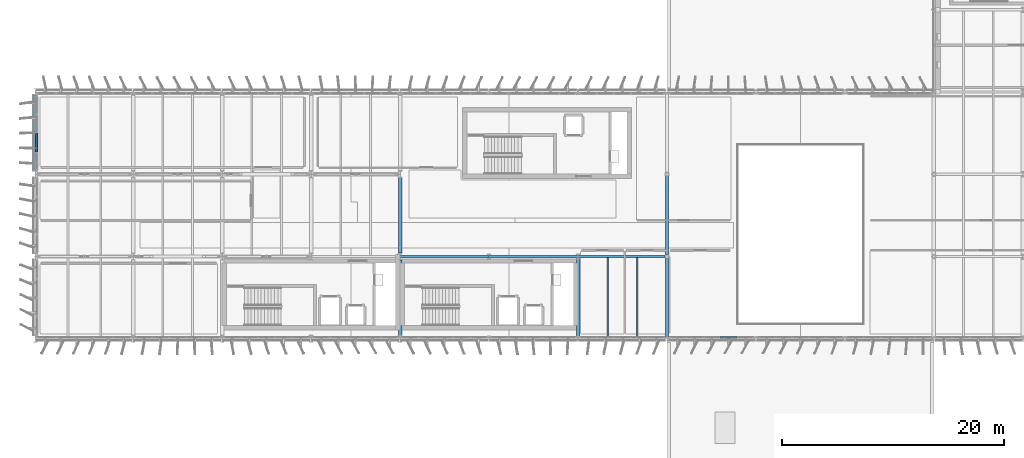
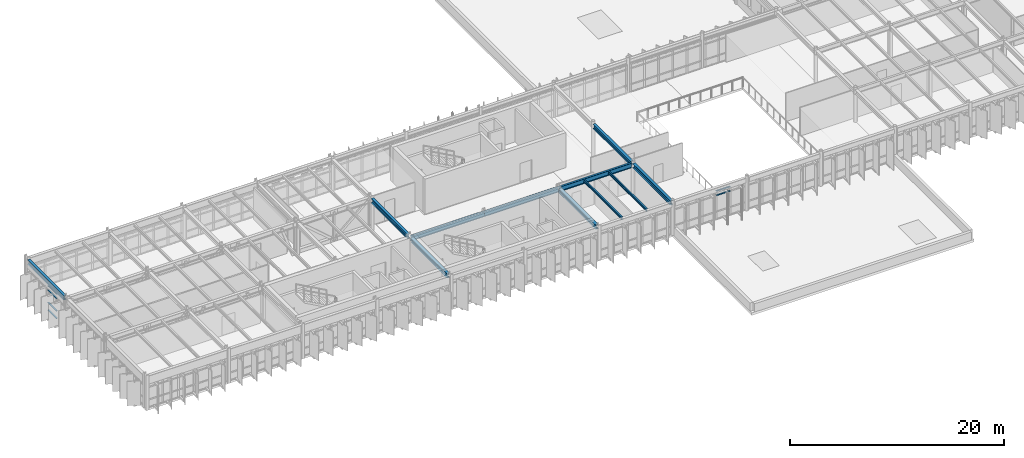
# One storey, part 14 of 56: 11 beams, 6 members, 2 elements without a shape of their own.
"""IFC4 building model written with IfcOpenShell, lengths in metres."""

from ifc_helpers import new_model, si_unit, direction, frame, origin, origin_2d, place, context, subcontext, project, spatial, rectangle, i_section, extrude, material, layer, layer_set, material_profile, profile_set, type_object, element, aggregate, save


model = new_model("IFC4")

# Units and contexts
model_context = context("Model", 3, precision=1e-05, world=origin(), true_north=direction((0.0, 1.0)))
body_context = subcontext(model_context, "Body", "Model", "MODEL_VIEW")
ifc_project = project(units=[si_unit("LENGTHUNIT", "METRE"), si_unit("AREAUNIT", "SQUARE_METRE"), si_unit("VOLUMEUNIT", "CUBIC_METRE"), si_unit("PLANEANGLEUNIT", "RADIAN"), si_unit("MASSUNIT", "GRAM", prefix="KILO")], contexts=[model_context])

# Site, building, storey
site_placement = place(None, origin())
site = spatial("IfcSite", under=ifc_project, at=site_placement, CompositionType="ELEMENT")
building_placement = place(site_placement, origin())
building = spatial("IfcBuilding", under=site, at=building_placement, Name="Valkorina Park Police Headquarters", CompositionType="ELEMENT")
storey_placement = place(building_placement, frame((0.0, 0.0, 14.10009765625)))
storey = spatial("IfcBuildingStorey", under=building, at=storey_placement, Name="L04", CompositionType="ELEMENT", Elevation=14.10009765625)

# Beams
ifc_material_1 = material(Name="Steel S355", Category="steel")
ifc_material_profile_1 = material_profile(ifc_material_1, i_section(OverallWidth=0.300048828125, OverallDepth=0.489990234375, WebThickness=0.011962890625, FlangeThickness=0.02294921875, FilletRadius=0.027099609375, at=origin_2d()), Name="HEA 500")
ifc_profile_set_1 = profile_set([ifc_material_profile_1], Name="Steel S355")
beam_type_1 = type_object("IfcBeamType", Name="BM-S355-HEA500-BM", PredefinedType="BEAM", material=ifc_profile_set_1)
for number, where, z_axis, x_axis, name in (
    (1, (32.800048828125, 37.300048828125, 3.510009765625), (0.0, 1.0, 0.0), (-1.0, 0.0, 0.0), "L04 Framing Beam 2322"),
    (2, (32.800048828125, 44.699951171875, 3.510009765625), (0.0, 1.0, 0.0), (-1.0, 0.0, 0.0), "L04 Framing Beam 2323"),
):
    element("IfcBeam", number, at=place(storey_placement, frame(where, z_axis=z_axis, x_axis=x_axis)), inside=storey, type_object=beam_type_1, Name=name, PredefinedType="BEAM", context=body_context, shape_type="SweptSolid", body=[
        extrude(i_section(OverallWidth=0.300048828125, OverallDepth=0.489990234375, WebThickness=0.011962890625, FlangeThickness=0.02294921875, FilletRadius=0.027099609375, at=origin_2d()), origin(), (0.0, 0.0, 1.0), 6.800048828125),
    ])
beam_1_placement = place(storey_placement, frame((48.800048828125, 37.22509765625, 3.510009765625), z_axis=(0.0, 1.0, 0.0), x_axis=(-1.0, 0.0, 0.0)))
element("IfcBeam", 3, at=beam_1_placement, inside=storey, type_object=beam_type_1, Name="L04 Framing Beam 2325", PredefinedType="BEAM", context=body_context, shape_type="SweptSolid", body=[
    extrude(i_section(OverallWidth=0.300048828125, OverallDepth=0.489990234375, WebThickness=0.011962890625, FlangeThickness=0.02294921875, FilletRadius=0.027099609375, at=origin_2d()), origin(), (0.0, 0.0, 1.0), 6.949951171875),
])
for number, where, z_axis, x_axis, name in (
    (4, (56.800048828125, 37.177734375, 3.510009765625), (0.0, 1.0, 0.0), (-1.0, 0.0, 0.0), "L04 Framing Beam 2328"),
    (5, (56.800048828125, 44.577880859375, 3.510009765625), (0.0, 1.0, 0.0), (-1.0, 0.0, 0.0), "L04 Framing Beam 2329"),
):
    element("IfcBeam", number, at=place(storey_placement, frame(where, z_axis=z_axis, x_axis=x_axis)), inside=storey, type_object=beam_type_1, Name=name, PredefinedType="BEAM", context=body_context, shape_type="SweptSolid", body=[
        extrude(i_section(OverallWidth=0.300048828125, OverallDepth=0.489990234375, WebThickness=0.011962890625, FlangeThickness=0.02294921875, FilletRadius=0.027099609375, at=origin_2d()), origin(), (0.0, 0.0, 1.0), 7.04443359375),
    ])
ifc_material_profile_2 = material_profile(ifc_material_1, i_section(OverallWidth=0.300048828125, OverallDepth=0.489990234375, WebThickness=0.011962890625, FlangeThickness=0.02294921875, FilletRadius=0.027099609375, at=origin_2d()), Name="HEA 500")
ifc_profile_set_2 = profile_set([ifc_material_profile_2], Name="Steel S355")
beam_type_2 = type_object("IfcBeamType", Name="BM-S355-HEA500-SPN", PredefinedType="SPANDREL", material=ifc_profile_set_2)
beam_2_placement = place(storey_placement, frame((0.0, 52.10009765625, 3.510009765625), z_axis=(0.0, 1.0, 0.0), x_axis=(-1.0, 0.0, 0.0)))
element("IfcBeam", 6, at=beam_2_placement, inside=storey, type_object=beam_type_2, Name="L04 Framing Beam 2297", PredefinedType="SPANDREL", context=body_context, shape_type="SweptSolid", body=[
    extrude(i_section(OverallWidth=0.300048828125, OverallDepth=0.489990234375, WebThickness=0.011962890625, FlangeThickness=0.02294921875, FilletRadius=0.027099609375, at=origin_2d()), origin(), (0.0, 0.0, 1.0), 6.7998046875),
])
ifc_material_profile_3 = material_profile(ifc_material_1, i_section(OverallWidth=0.14990234375, OverallDepth=0.300048828125, WebThickness=0.007080078125, FlangeThickness=0.0107421875, FilletRadius=0.014892578125, at=origin_2d()), Name="IPE 300")
ifc_profile_set_3 = profile_set([ifc_material_profile_3], Name="Steel S355")
beam_type_3 = type_object("IfcBeamType", Name="BM-S355-IPE300-JST", PredefinedType="JOIST", material=ifc_profile_set_3)
for number, where, z_axis, x_axis, name in (
    (7, (51.466796875, 37.14990234375, 3.60498046875), (0.0, 1.0, 0.0), (-1.0, 0.0, 0.0), "L04 Framing Beam 2326"),
    (8, (54.13330078125, 37.14990234375, 3.60498046875), (0.0, 1.0, 0.0), (-1.0, 0.0, 0.0), "L04 Framing Beam 2327"),
):
    element("IfcBeam", number, at=place(storey_placement, frame(where, z_axis=z_axis, x_axis=x_axis)), inside=storey, type_object=beam_type_3, Name=name, PredefinedType="JOIST", context=body_context, shape_type="SweptSolid", body=[
        extrude(i_section(OverallWidth=0.14990234375, OverallDepth=0.300048828125, WebThickness=0.007080078125, FlangeThickness=0.0107421875, FilletRadius=0.014892578125, at=origin_2d()), origin(), (0.0, 0.0, 1.0), 7.14501953125),
    ])
ifc_material_profile_4 = material_profile(ifc_material_1, i_section(OverallWidth=0.2099609375, OverallDepth=0.550048828125, WebThickness=0.010986328125, FlangeThickness=0.01708984375, FilletRadius=0.02392578125, at=origin_2d()), Name="IPE 550")
ifc_profile_set_4 = profile_set([ifc_material_profile_4], Name="Steel S355")
beam_type_4 = type_object("IfcBeamType", Name="BM-S355-IPE550-BM", PredefinedType="BEAM", material=ifc_profile_set_4)
beam_3_placement = place(storey_placement, frame((32.8076171875, 44.39990234375, 3.47998046875), z_axis=(1.0, 0.0, 0.0), x_axis=(0.0, 1.0, 0.0)))
element("IfcBeam", 9, at=beam_3_placement, inside=storey, type_object=beam_type_4, Name="L04 Framing Beam 2230", PredefinedType="BEAM", context=body_context, shape_type="SweptSolid", body=[
    extrude(i_section(OverallWidth=0.2099609375, OverallDepth=0.550048828125, WebThickness=0.010986328125, FlangeThickness=0.01708984375, FilletRadius=0.02392578125, at=origin_2d()), origin(), (0.0, 0.0, 1.0), 7.9853515625),
])
beam_4_placement = place(storey_placement, frame((40.806884765625, 44.39990234375, 3.47998046875), z_axis=(1.0, 0.0, 0.0), x_axis=(0.0, 1.0, 0.0)))
element("IfcBeam", 10, at=beam_4_placement, inside=storey, type_object=beam_type_4, Name="L04 Framing Beam 2231", PredefinedType="BEAM", context=body_context, shape_type="SweptSolid", body=[
    extrude(i_section(OverallWidth=0.2099609375, OverallDepth=0.550048828125, WebThickness=0.010986328125, FlangeThickness=0.01708984375, FilletRadius=0.02392578125, at=origin_2d()), origin(), (0.0, 0.0, 1.0), 7.986083984375),
])
beam_5_placement = place(storey_placement, frame((48.806884765625, 44.39990234375, 3.47998046875), z_axis=(1.0, 0.0, 0.0), x_axis=(0.0, 1.0, 0.0)))
element("IfcBeam", 11, at=beam_5_placement, inside=storey, type_object=beam_type_4, Name="L04 Framing Beam 2232", PredefinedType="BEAM", context=body_context, shape_type="SweptSolid", body=[
    extrude(i_section(OverallWidth=0.2099609375, OverallDepth=0.550048828125, WebThickness=0.010986328125, FlangeThickness=0.01708984375, FilletRadius=0.02392578125, at=origin_2d()), origin(), (0.0, 0.0, 1.0), 7.8154296875),
])

# Curtain wall, members
ifc_material_2 = material(Name="Thermally broken aluminium AW-6060", Category="aluminium")
ifc_layer_1 = layer(ifc_material_2, 0.18994140625)
ifc_layer_set_1 = layer_set([ifc_layer_1], Name="Thermally broken aluminium AW-6060")
curtain_wall_type_1 = type_object("IfcCurtainWallType", Name="CW-V5-7620x3260", PredefinedType="NOTDEFINED", material=ifc_layer_set_1)
curtain_wall_1_placement = place(storey_placement, origin())
curtain_wall_1 = element("IfcCurtainWall", 12, at=curtain_wall_1_placement, inside=storey, type_object=curtain_wall_type_1, Name="L04 Unitised Curtain Wall 050", PredefinedType="NOTDEFINED")
ifc_material_profile_5 = material_profile(ifc_material_2, rectangle(XDim=0.14990234375, YDim=0.070068359375, at=origin_2d()), Name="CWT-02 150x70")
ifc_profile_set_5 = profile_set([ifc_material_profile_5], Name="Thermally broken aluminium AW-6060")
member_type = type_object("IfcMemberType", Name="CWT-150x70", PredefinedType="USERDEFINED", material=ifc_profile_set_5)
member_1_placement = place(storey_placement, frame((63.05224609375, 37.1201171875, 2.73486328125), z_axis=(-1.0, 0.0, 0.0), x_axis=(0.0, -1.0, 0.0)))
member_1 = element("IfcMember", 13, at=member_1_placement, type_object=member_type, Name="CW-V5-762-326 transom 2.3", ObjectType="TRANSOM", PredefinedType="USERDEFINED", context=body_context, shape_type="SweptSolid", body=[
    extrude(rectangle(XDim=0.14990234375, YDim=0.070068359375, at=origin_2d()), origin(), (0.0, 0.0, 1.0), 1.454833984375),
])
member_2_placement = place(storey_placement, frame((63.05224609375, 37.1201171875, 3.219970703125), z_axis=(-1.0, 0.0, 0.0), x_axis=(0.0, -1.0, 0.0)))
member_2 = element("IfcMember", 14, at=member_2_placement, type_object=member_type, Name="CW-V5-762-326 transom 2.4", ObjectType="TRANSOM", PredefinedType="USERDEFINED", context=body_context, shape_type="SweptSolid", body=[
    extrude(rectangle(XDim=0.14990234375, YDim=0.070068359375, at=origin_2d()), origin(), (0.0, 0.0, 1.0), 1.454833984375),
])
aggregate(curtain_wall_1, [member_1, member_2])

ifc_layer_2 = layer(ifc_material_2, 0.18994140625)
ifc_layer_set_2 = layer_set([ifc_layer_2], Name="Thermally broken aluminium AW-6060")
curtain_wall_type_2 = type_object("IfcCurtainWallType", Name="CW-V5-6780x2840", PredefinedType="NOTDEFINED", material=ifc_layer_set_2)
curtain_wall_2_placement = place(storey_placement, origin())
curtain_wall_2 = element("IfcCurtainWall", 15, at=curtain_wall_2_placement, inside=storey, type_object=curtain_wall_type_2, Name="L04 Unitised Curtain Wall 060", PredefinedType="NOTDEFINED")
member_3_placement = place(storey_placement, frame((0.1201171875, 53.840087890625, 0.034912109375), z_axis=(0.0, 1.0, 0.0), x_axis=(-1.0, 0.0, 0.0)))
member_3 = element("IfcMember", 16, at=member_3_placement, type_object=member_type, Name="CW-V5-678-284 transom 2.1", ObjectType="TRANSOM", PredefinedType="USERDEFINED", context=body_context, shape_type="SweptSolid", body=[
    extrude(rectangle(XDim=0.14990234375, YDim=0.070068359375, at=origin_2d()), origin(), (0.0, 0.0, 1.0), 1.625),
])
member_4_placement = place(storey_placement, frame((0.1201171875, 53.840087890625, 0.89990234375), z_axis=(0.0, 1.0, 0.0), x_axis=(-1.0, 0.0, 0.0)))
member_4 = element("IfcMember", 17, at=member_4_placement, type_object=member_type, Name="CW-V5-678-284 transom 2.2", ObjectType="TRANSOM", PredefinedType="USERDEFINED", context=body_context, shape_type="SweptSolid", body=[
    extrude(rectangle(XDim=0.14990234375, YDim=0.070068359375, at=origin_2d()), origin(), (0.0, 0.0, 1.0), 1.625),
])
member_5_placement = place(storey_placement, frame((0.1201171875, 53.840087890625, 2.324951171875), z_axis=(0.0, 1.0, 0.0), x_axis=(-1.0, 0.0, 0.0)))
member_5 = element("IfcMember", 18, at=member_5_placement, type_object=member_type, Name="CW-V5-678-284 transom 2.3", ObjectType="TRANSOM", PredefinedType="USERDEFINED", context=body_context, shape_type="SweptSolid", body=[
    extrude(rectangle(XDim=0.14990234375, YDim=0.070068359375, at=origin_2d()), origin(), (0.0, 0.0, 1.0), 1.625),
])
member_6_placement = place(storey_placement, frame((0.1201171875, 53.840087890625, 2.809814453125), z_axis=(0.0, 1.0, 0.0), x_axis=(-1.0, 0.0, 0.0)))
member_6 = element("IfcMember", 19, at=member_6_placement, type_object=member_type, Name="CW-V5-678-284 transom 2.4", ObjectType="TRANSOM", PredefinedType="USERDEFINED", context=body_context, shape_type="SweptSolid", body=[
    extrude(rectangle(XDim=0.14990234375, YDim=0.070068359375, at=origin_2d()), origin(), (0.0, 0.0, 1.0), 1.625),
])
aggregate(curtain_wall_2, [member_3, member_4, member_5, member_6])

save(model, "model.ifc")
